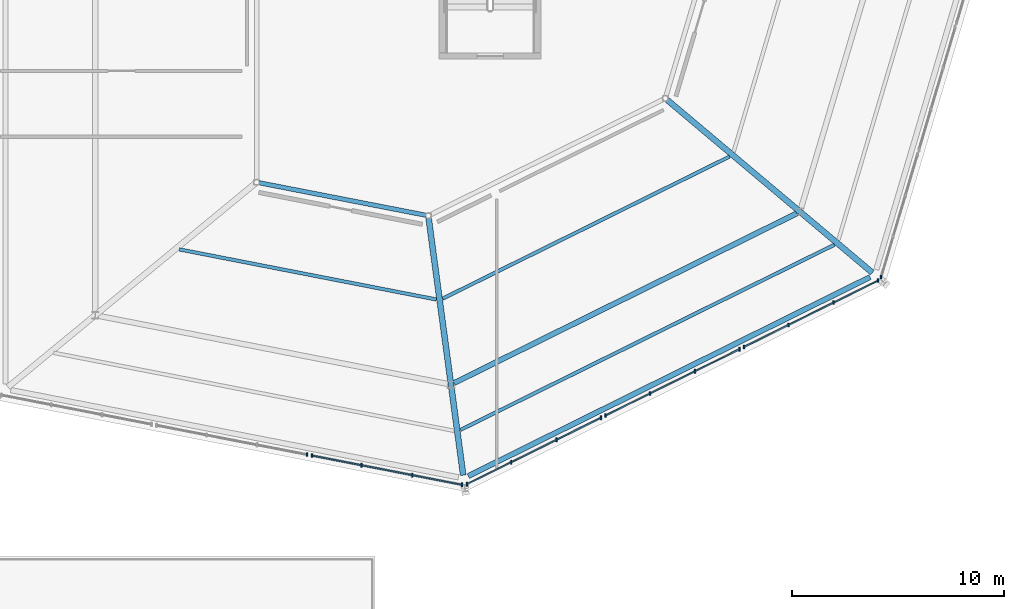
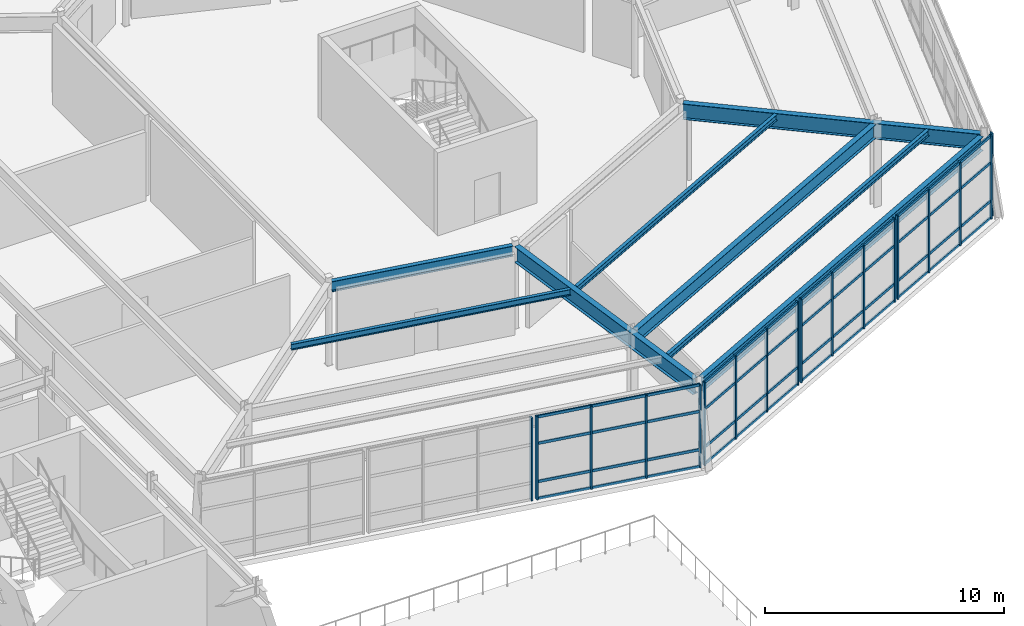
# One storey, part 33 of 69: 34 members, 8 beams, 6 elements without a shape of their own.
"""IFC4 building model written with IfcOpenShell, lengths in metres."""

from ifc_helpers import new_model, si_unit, direction, frame, origin, origin_2d, place, context, subcontext, project, spatial, rectangle, i_section, extrude, material, material_profile, profile_set, type_object, element, aggregate, save


model = new_model("IFC4")

# Units and contexts
model_context = context("Model", 3, precision=1e-05, world=origin(), true_north=direction((0.0, 1.0)))
body_context = subcontext(model_context, "Body", "Model", "MODEL_VIEW")
ifc_project = project(units=[si_unit("LENGTHUNIT", "METRE"), si_unit("AREAUNIT", "SQUARE_METRE"), si_unit("VOLUMEUNIT", "CUBIC_METRE"), si_unit("PLANEANGLEUNIT", "RADIAN"), si_unit("MASSUNIT", "GRAM", prefix="KILO")], contexts=[model_context])

# Site, building, storey
site_placement = place(None, origin())
site = spatial("IfcSite", under=ifc_project, at=site_placement, CompositionType="ELEMENT")
building_placement = place(site_placement, origin())
building = spatial("IfcBuilding", under=site, at=building_placement, Name="Sarnbrook Museum", CompositionType="ELEMENT")
storey_placement = place(building_placement, frame((0.0, 0.0, 14.60009765625)))
storey = spatial("IfcBuildingStorey", under=building, at=storey_placement, Name="L03", CompositionType="ELEMENT", Elevation=14.60009765625)

# Beams
ifc_material_1 = material(Name="Structural Steel Grade 300PLUS (AS/NZS 3679.1, fy = 280 MPa for 17 < t <= 40 mm, 300 MPa for t <= 17 mm)", Category="steel")
ifc_material_profile_1 = material_profile(ifc_material_1, i_section(OverallWidth=0.208984375, OverallDepth=0.532958984375, WebThickness=0.01025390625, FlangeThickness=0.015625, FilletRadius=0.013916015625, at=origin_2d()), Name="530UB92.4")
ifc_profile_set_1 = profile_set([ifc_material_profile_1], Name="Structural Steel Grade 300PLUS (AS/NZS 3679.1, fy = 280 MPa for 17 < t <= 40 mm, 300 MPa for t <= 17 mm)")
beam_type_1 = type_object("IfcBeamType", Name="BM-UB530", PredefinedType="BEAM", material=ifc_profile_set_1)
beam_1_placement = place(storey_placement, frame((132.917724609375, 74.382080078125, 3.973388671875), z_axis=(0.981531426605, -0.191300963369, 0.0), x_axis=(0.191300963369, 0.981531426605, 0.0)))
element("IfcBeam", 1, at=beam_1_placement, inside=storey, type_object=beam_type_1, Name="Crystal Hall R2 Ring Girder 1 L03", PredefinedType="BEAM", context=body_context, shape_type="SweptSolid", body=[
    extrude(i_section(OverallWidth=0.208984375, OverallDepth=0.532958984375, WebThickness=0.01025390625, FlangeThickness=0.015625, FilletRadius=0.013916015625, at=origin_2d()), origin(), (0.0, 0.0, 1.0), 7.999267578125),
])
ifc_material_2 = material(Name="Structural Steel Grade 350L0 (AS/NZS 3678, fy = 340 MPa for 20 < t <= 40 mm)", Category="steel")
ifc_material_profile_2 = material_profile(ifc_material_2, i_section(OverallWidth=0.25, OverallDepth=0.699951171875, WebThickness=0.010009765625, FlangeThickness=0.01611328125, at=origin_2d()), Name="700WB130")
ifc_profile_set_2 = profile_set([ifc_material_profile_2], Name="Structural Steel Grade 350L0 (AS/NZS 3678, fy = 340 MPa for 20 < t <= 40 mm)")
beam_type_2 = type_object("IfcBeamType", Name="BM-WB700", PredefinedType="BEAM", material=ifc_profile_set_2)
beam_2_placement = place(storey_placement, frame((142.77392578125, 60.5703125, 3.889892578125), z_axis=(0.896159734035, 0.443731598035, 0.0), x_axis=(-0.443731598035, 0.896159734035, 0.0)))
element("IfcBeam", 2, at=beam_2_placement, inside=storey, type_object=beam_type_2, Name="Crystal Hall Perimeter Ring Girder 2 L03", PredefinedType="BEAM", context=body_context, shape_type="SweptSolid", body=[
    extrude(i_section(OverallWidth=0.25, OverallDepth=0.699951171875, WebThickness=0.010009765625, FlangeThickness=0.01611328125, at=origin_2d()), origin(), (0.0, 0.0, 1.0), 21.111083984375),
])
beam_3_placement = place(storey_placement, frame((142.099609375, 64.948486328125, 3.889892578125), z_axis=(0.8961652972, 0.443720362497, 0.0), x_axis=(-0.443720362497, 0.8961652972, 0.0)))
element("IfcBeam", 3, at=beam_3_placement, inside=storey, type_object=beam_type_2, Name="Crystal Hall R1 Ring Girder 2 L03", PredefinedType="BEAM", context=body_context, shape_type="SweptSolid", body=[
    extrude(i_section(OverallWidth=0.25, OverallDepth=0.699951171875, WebThickness=0.010009765625, FlangeThickness=0.01611328125, at=origin_2d()), origin(), (0.0, 0.0, 1.0), 18.021240234375),
])
ifc_material_profile_3 = material_profile(ifc_material_2, i_section(OverallWidth=0.27490234375, OverallDepth=0.800048828125, WebThickness=0.010009765625, FlangeThickness=0.01611328125, at=origin_2d()), Name="800WB146")
ifc_profile_set_3 = profile_set([ifc_material_profile_3], Name="Structural Steel Grade 350L0 (AS/NZS 3678, fy = 340 MPa for 20 < t <= 40 mm)")
beam_type_3 = type_object("IfcBeamType", Name="CR-CANT", PredefinedType="BEAM", material=ifc_profile_set_3)
beam_4_placement = place(storey_placement, frame((140.9033203125, 72.7099609375, 3.83984375), z_axis=(0.133220537129, -0.991086418274, 0.0), x_axis=(0.991086418274, 0.133220537129, 0.0)))
element("IfcBeam", 4, at=beam_4_placement, inside=storey, type_object=beam_type_3, Name="Crystal Hall Radial Cantilever Girder 2 L03", PredefinedType="BEAM", context=body_context, shape_type="SweptSolid", body=[
    extrude(i_section(OverallWidth=0.27490234375, OverallDepth=0.800048828125, WebThickness=0.010009765625, FlangeThickness=0.01611328125, at=origin_2d()), origin(), (0.0, 0.0, 1.0), 12.210693359375),
])
beam_5_placement = place(storey_placement, frame((152.14208984375, 78.27880859375, 3.83984375), z_axis=(0.764964338842, -0.644072635888, 0.0), x_axis=(0.644072635888, 0.764964338842, 0.0)))
element("IfcBeam", 5, at=beam_5_placement, inside=storey, type_object=beam_type_3, Name="Crystal Hall Radial Cantilever Girder 3 L03", PredefinedType="BEAM", context=body_context, shape_type="SweptSolid", body=[
    extrude(i_section(OverallWidth=0.27490234375, OverallDepth=0.800048828125, WebThickness=0.010009765625, FlangeThickness=0.01611328125, at=origin_2d()), origin(), (0.0, 0.0, 1.0), 12.6279296875),
])

# Curtain wall, member
ifc_material_3 = material(Name="Thermally Broken Anodised Aluminium 6063-T6", Category="aluminium")
curtain_wall_type = type_object("IfcCurtainWallType", Name="CurtainWall_CrystalFacet", PredefinedType="NOTDEFINED", material=ifc_material_3)
curtain_wall_1_placement = place(storey_placement, origin())
curtain_wall_1 = element("IfcCurtainWall", 6, at=curtain_wall_1_placement, inside=storey, type_object=curtain_wall_type, Name="Crystal Hall Facet Curtain Wall L03-F1.2", PredefinedType="NOTDEFINED")
ifc_material_profile_4 = material_profile(ifc_material_3, rectangle(XDim=0.06494140625, YDim=0.179931640625, at=origin_2d()), Name="ALU MULLION 65x180")
ifc_profile_set_4 = profile_set([ifc_material_profile_4], Name="Thermally Broken Anodised Aluminium 6063-T6")
member_type_1 = type_object("IfcMemberType", Name="CW_Mullion_180x75", PredefinedType="MULLION", material=ifc_profile_set_4)
member_1_placement = place(storey_placement, frame((135.166259765625, 61.57958984375, 0.0), z_axis=(0.0, 0.0, 1.0), x_axis=(1.0, 0.0, 0.0)))
member_1 = element("IfcMember", 7, at=member_1_placement, type_object=member_type_1, Name="Crystal Hall Facet Curtain Wall L03-F1.2 Mullion 4", PredefinedType="MULLION", context=body_context, shape_type="SweptSolid", body=[
    extrude(rectangle(XDim=0.06494140625, YDim=0.179931640625, at=origin_2d()), origin(), (0.0, 0.0, 1.0), 4.239990234375),
])
aggregate(curtain_wall_1, [member_1])

# Curtain wall, members
curtain_wall_2_placement = place(storey_placement, origin())
curtain_wall_2 = element("IfcCurtainWall", 8, at=curtain_wall_2_placement, inside=storey, type_object=curtain_wall_type, Name="Crystal Hall Facet Curtain Wall L03-F1.3", PredefinedType="NOTDEFINED")
member_2_placement = place(storey_placement, frame((135.40185546875, 61.53369140625, 0.0), z_axis=(0.0, 0.0, 1.0), x_axis=(1.0, 0.0, 0.0)))
member_2 = element("IfcMember", 9, at=member_2_placement, type_object=member_type_1, Name="Crystal Hall Facet Curtain Wall L03-F1.3 Mullion 1", PredefinedType="MULLION", context=body_context, shape_type="SweptSolid", body=[
    extrude(rectangle(XDim=0.06494140625, YDim=0.179931640625, at=origin_2d()), origin(), (0.0, 0.0, 1.0), 4.239990234375),
])
member_3_placement = place(storey_placement, frame((137.746826171875, 61.076416015625, 0.0), z_axis=(0.0, 0.0, 1.0), x_axis=(1.0, 0.0, 0.0)))
member_3 = element("IfcMember", 10, at=member_3_placement, type_object=member_type_1, Name="Crystal Hall Facet Curtain Wall L03-F1.3 Mullion 2", PredefinedType="MULLION", context=body_context, shape_type="SweptSolid", body=[
    extrude(rectangle(XDim=0.06494140625, YDim=0.179931640625, at=origin_2d()), origin(), (0.0, 0.0, 1.0), 4.239990234375),
])
member_4_placement = place(storey_placement, frame((140.131103515625, 60.61181640625, 0.0), z_axis=(0.0, 0.0, 1.0), x_axis=(1.0, 0.0, 0.0)))
member_4 = element("IfcMember", 11, at=member_4_placement, type_object=member_type_1, Name="Crystal Hall Facet Curtain Wall L03-F1.3 Mullion 3", PredefinedType="MULLION", context=body_context, shape_type="SweptSolid", body=[
    extrude(rectangle(XDim=0.06494140625, YDim=0.179931640625, at=origin_2d()), origin(), (0.0, 0.0, 1.0), 4.239990234375),
])
member_5_placement = place(storey_placement, frame((142.476318359375, 60.15478515625, 0.0), z_axis=(0.0, 0.0, 1.0), x_axis=(1.0, 0.0, 0.0)))
member_5 = element("IfcMember", 12, at=member_5_placement, type_object=member_type_1, Name="Crystal Hall Facet Curtain Wall L03-F1.3 Mullion 4", PredefinedType="MULLION", context=body_context, shape_type="SweptSolid", body=[
    extrude(rectangle(XDim=0.06494140625, YDim=0.179931640625, at=origin_2d()), origin(), (0.0, 0.0, 1.0), 4.239990234375),
])

curtain_wall_3_placement = place(storey_placement, origin())
curtain_wall_3 = element("IfcCurtainWall", 13, at=curtain_wall_3_placement, inside=storey, type_object=curtain_wall_type, Name="Crystal Hall Facet Curtain Wall L03-F2.1", PredefinedType="NOTDEFINED")
member_6_placement = place(storey_placement, frame((142.70166015625, 60.184814453125, 0.0), z_axis=(0.0, 0.0, 1.0), x_axis=(1.0, 0.0, 0.0)))
member_6 = element("IfcMember", 14, at=member_6_placement, type_object=member_type_1, Name="Crystal Hall Facet Curtain Wall L03-F2.1 Mullion 1", PredefinedType="MULLION", context=body_context, shape_type="SweptSolid", body=[
    extrude(rectangle(XDim=0.06494140625, YDim=0.179931640625, at=origin_2d()), origin(), (0.0, 0.0, 1.0), 4.239990234375),
])
member_7_placement = place(storey_placement, frame((144.7939453125, 61.220947265625, 0.0), z_axis=(0.0, 0.0, 1.0), x_axis=(1.0, 0.0, 0.0)))
member_7 = element("IfcMember", 15, at=member_7_placement, type_object=member_type_1, Name="Crystal Hall Facet Curtain Wall L03-F2.1 Mullion 2", PredefinedType="MULLION", context=body_context, shape_type="SweptSolid", body=[
    extrude(rectangle(XDim=0.06494140625, YDim=0.179931640625, at=origin_2d()), origin(), (0.0, 0.0, 1.0), 4.239990234375),
])
member_8_placement = place(storey_placement, frame((146.922119140625, 62.27490234375, 0.0), z_axis=(0.0, 0.0, 1.0), x_axis=(1.0, 0.0, 0.0)))
member_8 = element("IfcMember", 16, at=member_8_placement, type_object=member_type_1, Name="Crystal Hall Facet Curtain Wall L03-F2.1 Mullion 3", PredefinedType="MULLION", context=body_context, shape_type="SweptSolid", body=[
    extrude(rectangle(XDim=0.06494140625, YDim=0.179931640625, at=origin_2d()), origin(), (0.0, 0.0, 1.0), 4.239990234375),
])
member_9_placement = place(storey_placement, frame((149.0146484375, 63.310791015625, 0.0), z_axis=(0.0, 0.0, 1.0), x_axis=(1.0, 0.0, 0.0)))
member_9 = element("IfcMember", 17, at=member_9_placement, type_object=member_type_1, Name="Crystal Hall Facet Curtain Wall L03-F2.1 Mullion 4", PredefinedType="MULLION", context=body_context, shape_type="SweptSolid", body=[
    extrude(rectangle(XDim=0.06494140625, YDim=0.179931640625, at=origin_2d()), origin(), (0.0, 0.0, 1.0), 4.239990234375),
])

curtain_wall_4_placement = place(storey_placement, origin())
curtain_wall_4 = element("IfcCurtainWall", 18, at=curtain_wall_4_placement, inside=storey, type_object=curtain_wall_type, Name="Crystal Hall Facet Curtain Wall L03-F2.2", PredefinedType="NOTDEFINED")
member_10_placement = place(storey_placement, frame((149.229736328125, 63.417236328125, 0.0), z_axis=(0.0, 0.0, 1.0), x_axis=(1.0, 0.0, 0.0)))
member_10 = element("IfcMember", 19, at=member_10_placement, type_object=member_type_1, Name="Crystal Hall Facet Curtain Wall L03-F2.2 Mullion 1", PredefinedType="MULLION", context=body_context, shape_type="SweptSolid", body=[
    extrude(rectangle(XDim=0.06494140625, YDim=0.179931640625, at=origin_2d()), origin(), (0.0, 0.0, 1.0), 4.239990234375),
])
member_11_placement = place(storey_placement, frame((151.322021484375, 64.453369140625, 0.0), z_axis=(0.0, 0.0, 1.0), x_axis=(1.0, 0.0, 0.0)))
member_11 = element("IfcMember", 20, at=member_11_placement, type_object=member_type_1, Name="Crystal Hall Facet Curtain Wall L03-F2.2 Mullion 2", PredefinedType="MULLION", context=body_context, shape_type="SweptSolid", body=[
    extrude(rectangle(XDim=0.06494140625, YDim=0.179931640625, at=origin_2d()), origin(), (0.0, 0.0, 1.0), 4.239990234375),
])
member_12_placement = place(storey_placement, frame((153.4501953125, 65.507080078125, 0.0), z_axis=(0.0, 0.0, 1.0), x_axis=(1.0, 0.0, 0.0)))
member_12 = element("IfcMember", 21, at=member_12_placement, type_object=member_type_1, Name="Crystal Hall Facet Curtain Wall L03-F2.2 Mullion 3", PredefinedType="MULLION", context=body_context, shape_type="SweptSolid", body=[
    extrude(rectangle(XDim=0.06494140625, YDim=0.179931640625, at=origin_2d()), origin(), (0.0, 0.0, 1.0), 4.239990234375),
])
member_13_placement = place(storey_placement, frame((155.54248046875, 66.543212890625, 0.0), z_axis=(0.0, 0.0, 1.0), x_axis=(1.0, 0.0, 0.0)))
member_13 = element("IfcMember", 22, at=member_13_placement, type_object=member_type_1, Name="Crystal Hall Facet Curtain Wall L03-F2.2 Mullion 4", PredefinedType="MULLION", context=body_context, shape_type="SweptSolid", body=[
    extrude(rectangle(XDim=0.06494140625, YDim=0.179931640625, at=origin_2d()), origin(), (0.0, 0.0, 1.0), 4.239990234375),
])

curtain_wall_5_placement = place(storey_placement, origin())
curtain_wall_5 = element("IfcCurtainWall", 23, at=curtain_wall_5_placement, inside=storey, type_object=curtain_wall_type, Name="Crystal Hall Facet Curtain Wall L03-F2.3", PredefinedType="NOTDEFINED")
member_14_placement = place(storey_placement, frame((155.7578125, 66.649658203125, 0.0), z_axis=(0.0, 0.0, 1.0), x_axis=(1.0, 0.0, 0.0)))
member_14 = element("IfcMember", 24, at=member_14_placement, type_object=member_type_1, Name="Crystal Hall Facet Curtain Wall L03-F2.3 Mullion 1", PredefinedType="MULLION", context=body_context, shape_type="SweptSolid", body=[
    extrude(rectangle(XDim=0.06494140625, YDim=0.179931640625, at=origin_2d()), origin(), (0.0, 0.0, 1.0), 4.239990234375),
])
member_15_placement = place(storey_placement, frame((157.85009765625, 67.685546875, 0.0), z_axis=(0.0, 0.0, 1.0), x_axis=(1.0, 0.0, 0.0)))
member_15 = element("IfcMember", 25, at=member_15_placement, type_object=member_type_1, Name="Crystal Hall Facet Curtain Wall L03-F2.3 Mullion 2", PredefinedType="MULLION", context=body_context, shape_type="SweptSolid", body=[
    extrude(rectangle(XDim=0.06494140625, YDim=0.179931640625, at=origin_2d()), origin(), (0.0, 0.0, 1.0), 4.239990234375),
])
member_16_placement = place(storey_placement, frame((159.978271484375, 68.739501953125, 0.0), z_axis=(0.0, 0.0, 1.0), x_axis=(1.0, 0.0, 0.0)))
member_16 = element("IfcMember", 26, at=member_16_placement, type_object=member_type_1, Name="Crystal Hall Facet Curtain Wall L03-F2.3 Mullion 3", PredefinedType="MULLION", context=body_context, shape_type="SweptSolid", body=[
    extrude(rectangle(XDim=0.06494140625, YDim=0.179931640625, at=origin_2d()), origin(), (0.0, 0.0, 1.0), 4.239990234375),
])
member_17_placement = place(storey_placement, frame((162.07080078125, 69.775390625, 0.0), z_axis=(0.0, 0.0, 1.0), x_axis=(1.0, 0.0, 0.0)))
member_17 = element("IfcMember", 27, at=member_17_placement, type_object=member_type_1, Name="Crystal Hall Facet Curtain Wall L03-F2.3 Mullion 4", PredefinedType="MULLION", context=body_context, shape_type="SweptSolid", body=[
    extrude(rectangle(XDim=0.06494140625, YDim=0.179931640625, at=origin_2d()), origin(), (0.0, 0.0, 1.0), 4.239990234375),
])

# Curtain wall, member
curtain_wall_6_placement = place(storey_placement, origin())
curtain_wall_6 = element("IfcCurtainWall", 28, at=curtain_wall_6_placement, inside=storey, type_object=curtain_wall_type, Name="Crystal Hall Facet Curtain Wall L03-F3.1", PredefinedType="NOTDEFINED")
member_18_placement = place(storey_placement, frame((162.21240234375, 69.943603515625, 0.0), z_axis=(0.0, 0.0, 1.0), x_axis=(1.0, 0.0, 0.0)))
member_18 = element("IfcMember", 29, at=member_18_placement, type_object=member_type_1, Name="Crystal Hall Facet Curtain Wall L03-F3.1 Mullion 1", PredefinedType="MULLION", context=body_context, shape_type="SweptSolid", body=[
    extrude(rectangle(XDim=0.06494140625, YDim=0.179931640625, at=origin_2d()), origin(), (0.0, 0.0, 1.0), 4.239990234375),
])
aggregate(curtain_wall_6, [member_18])

# Member
ifc_material_profile_5 = material_profile(ifc_material_3, rectangle(XDim=0.06494140625, YDim=0.139892578125, at=origin_2d()), Name="ALU TRANSOM 65x140")
ifc_profile_set_5 = profile_set([ifc_material_profile_5], Name="Thermally Broken Anodised Aluminium 6063-T6")
member_type_2 = type_object("IfcMemberType", Name="CW_Transom_150x65", PredefinedType="USERDEFINED", material=ifc_profile_set_5)
member_19_placement = place(storey_placement, frame((135.41162109375, 61.53173828125, 0.039794921875), z_axis=(0.981525301363, -0.191332388226, 0.0), x_axis=(0.191332388226, 0.981525301363, 0.0)))
member_19 = element("IfcMember", 30, at=member_19_placement, type_object=member_type_2, Name="Crystal Hall Facet Curtain Wall L03-F1.3 Transom 1", ObjectType="TRANSOM", PredefinedType="USERDEFINED", context=body_context, shape_type="SweptSolid", body=[
    extrude(rectangle(XDim=0.06494140625, YDim=0.139892578125, at=origin_2d()), origin(), (0.0, 0.0, 1.0), 7.187744140625),
])

member_20_placement = place(storey_placement, frame((135.41162109375, 61.53173828125, 0.89990234375), z_axis=(0.981525301363, -0.191332388226, 0.0), x_axis=(0.191332388226, 0.981525301363, 0.0)))
member_20 = element("IfcMember", 31, at=member_20_placement, type_object=member_type_2, Name="Crystal Hall Facet Curtain Wall L03-F1.3 Transom 2", ObjectType="TRANSOM", PredefinedType="USERDEFINED", context=body_context, shape_type="SweptSolid", body=[
    extrude(rectangle(XDim=0.06494140625, YDim=0.139892578125, at=origin_2d()), origin(), (0.0, 0.0, 1.0), 7.187744140625),
])

member_21_placement = place(storey_placement, frame((135.41162109375, 61.53173828125, 2.849853515625), z_axis=(0.981525301363, -0.191332388226, 0.0), x_axis=(0.191332388226, 0.981525301363, 0.0)))
member_21 = element("IfcMember", 32, at=member_21_placement, type_object=member_type_2, Name="Crystal Hall Facet Curtain Wall L03-F1.3 Transom 3", ObjectType="TRANSOM", PredefinedType="USERDEFINED", context=body_context, shape_type="SweptSolid", body=[
    extrude(rectangle(XDim=0.06494140625, YDim=0.139892578125, at=origin_2d()), origin(), (0.0, 0.0, 1.0), 7.187744140625),
])

member_22_placement = place(storey_placement, frame((135.41162109375, 61.53173828125, 4.199951171875), z_axis=(0.981525301363, -0.191332388226, 0.0), x_axis=(0.191332388226, 0.981525301363, 0.0)))
member_22 = element("IfcMember", 33, at=member_22_placement, type_object=member_type_2, Name="Crystal Hall Facet Curtain Wall L03-F1.3 Transom 4", ObjectType="TRANSOM", PredefinedType="USERDEFINED", context=body_context, shape_type="SweptSolid", body=[
    extrude(rectangle(XDim=0.06494140625, YDim=0.139892578125, at=origin_2d()), origin(), (0.0, 0.0, 1.0), 7.187744140625),
])

aggregate(curtain_wall_2, [member_2, member_3, member_4, member_5, member_19, member_20, member_21, member_22])

member_23_placement = place(storey_placement, frame((142.710693359375, 60.189453125, 0.039794921875), z_axis=(0.896158256544, 0.443734581961, 0.0), x_axis=(-0.443734581961, 0.896158256544, 0.0)))
member_23 = element("IfcMember", 34, at=member_23_placement, type_object=member_type_2, Name="Crystal Hall Facet Curtain Wall L03-F2.1 Transom 1", ObjectType="TRANSOM", PredefinedType="USERDEFINED", context=body_context, shape_type="SweptSolid", body=[
    extrude(rectangle(XDim=0.06494140625, YDim=0.139892578125, at=origin_2d()), origin(), (0.0, 0.0, 1.0), 7.0244140625),
])

member_24_placement = place(storey_placement, frame((142.710693359375, 60.189453125, 0.89990234375), z_axis=(0.896158256544, 0.443734581961, 0.0), x_axis=(-0.443734581961, 0.896158256544, 0.0)))
member_24 = element("IfcMember", 35, at=member_24_placement, type_object=member_type_2, Name="Crystal Hall Facet Curtain Wall L03-F2.1 Transom 2", ObjectType="TRANSOM", PredefinedType="USERDEFINED", context=body_context, shape_type="SweptSolid", body=[
    extrude(rectangle(XDim=0.06494140625, YDim=0.139892578125, at=origin_2d()), origin(), (0.0, 0.0, 1.0), 7.0244140625),
])

member_25_placement = place(storey_placement, frame((142.710693359375, 60.189453125, 2.849853515625), z_axis=(0.896158256544, 0.443734581961, 0.0), x_axis=(-0.443734581961, 0.896158256544, 0.0)))
member_25 = element("IfcMember", 36, at=member_25_placement, type_object=member_type_2, Name="Crystal Hall Facet Curtain Wall L03-F2.1 Transom 3", ObjectType="TRANSOM", PredefinedType="USERDEFINED", context=body_context, shape_type="SweptSolid", body=[
    extrude(rectangle(XDim=0.06494140625, YDim=0.139892578125, at=origin_2d()), origin(), (0.0, 0.0, 1.0), 7.0244140625),
])

member_26_placement = place(storey_placement, frame((142.710693359375, 60.189453125, 4.199951171875), z_axis=(0.896158256544, 0.443734581961, 0.0), x_axis=(-0.443734581961, 0.896158256544, 0.0)))
member_26 = element("IfcMember", 37, at=member_26_placement, type_object=member_type_2, Name="Crystal Hall Facet Curtain Wall L03-F2.1 Transom 4", ObjectType="TRANSOM", PredefinedType="USERDEFINED", context=body_context, shape_type="SweptSolid", body=[
    extrude(rectangle(XDim=0.06494140625, YDim=0.139892578125, at=origin_2d()), origin(), (0.0, 0.0, 1.0), 7.0244140625),
])

aggregate(curtain_wall_3, [member_6, member_7, member_8, member_9, member_23, member_24, member_25, member_26])

member_27_placement = place(storey_placement, frame((149.238525390625, 63.421630859375, 0.039794921875), z_axis=(0.896151279207, 0.443748672985, 0.0), x_axis=(-0.443748672985, 0.896151279207, 0.0)))
member_27 = element("IfcMember", 38, at=member_27_placement, type_object=member_type_2, Name="Crystal Hall Facet Curtain Wall L03-F2.2 Transom 1", ObjectType="TRANSOM", PredefinedType="USERDEFINED", context=body_context, shape_type="SweptSolid", body=[
    extrude(rectangle(XDim=0.06494140625, YDim=0.139892578125, at=origin_2d()), origin(), (0.0, 0.0, 1.0), 7.024658203125),
])

member_28_placement = place(storey_placement, frame((149.238525390625, 63.421630859375, 0.89990234375), z_axis=(0.896151279207, 0.443748672985, 0.0), x_axis=(-0.443748672985, 0.896151279207, 0.0)))
member_28 = element("IfcMember", 39, at=member_28_placement, type_object=member_type_2, Name="Crystal Hall Facet Curtain Wall L03-F2.2 Transom 2", ObjectType="TRANSOM", PredefinedType="USERDEFINED", context=body_context, shape_type="SweptSolid", body=[
    extrude(rectangle(XDim=0.06494140625, YDim=0.139892578125, at=origin_2d()), origin(), (0.0, 0.0, 1.0), 7.024658203125),
])

member_29_placement = place(storey_placement, frame((149.238525390625, 63.421630859375, 2.849853515625), z_axis=(0.896151279207, 0.443748672985, 0.0), x_axis=(-0.443748672985, 0.896151279207, 0.0)))
member_29 = element("IfcMember", 40, at=member_29_placement, type_object=member_type_2, Name="Crystal Hall Facet Curtain Wall L03-F2.2 Transom 3", ObjectType="TRANSOM", PredefinedType="USERDEFINED", context=body_context, shape_type="SweptSolid", body=[
    extrude(rectangle(XDim=0.06494140625, YDim=0.139892578125, at=origin_2d()), origin(), (0.0, 0.0, 1.0), 7.024658203125),
])

member_30_placement = place(storey_placement, frame((149.238525390625, 63.421630859375, 4.199951171875), z_axis=(0.896151279207, 0.443748672985, 0.0), x_axis=(-0.443748672985, 0.896151279207, 0.0)))
member_30 = element("IfcMember", 41, at=member_30_placement, type_object=member_type_2, Name="Crystal Hall Facet Curtain Wall L03-F2.2 Transom 4", ObjectType="TRANSOM", PredefinedType="USERDEFINED", context=body_context, shape_type="SweptSolid", body=[
    extrude(rectangle(XDim=0.06494140625, YDim=0.139892578125, at=origin_2d()), origin(), (0.0, 0.0, 1.0), 7.024658203125),
])

aggregate(curtain_wall_4, [member_10, member_11, member_12, member_13, member_27, member_28, member_29, member_30])

member_31_placement = place(storey_placement, frame((155.7666015625, 66.654052734375, 0.039794921875), z_axis=(0.896165099767, 0.443720761246, 0.0), x_axis=(-0.443720761246, 0.896165099767, 0.0)))
member_31 = element("IfcMember", 42, at=member_31_placement, type_object=member_type_2, Name="Crystal Hall Facet Curtain Wall L03-F2.3 Transom 1", ObjectType="TRANSOM", PredefinedType="USERDEFINED", context=body_context, shape_type="SweptSolid", body=[
    extrude(rectangle(XDim=0.06494140625, YDim=0.139892578125, at=origin_2d()), origin(), (0.0, 0.0, 1.0), 7.024658203125),
])

member_32_placement = place(storey_placement, frame((155.7666015625, 66.654052734375, 0.89990234375), z_axis=(0.896165099767, 0.443720761246, 0.0), x_axis=(-0.443720761246, 0.896165099767, 0.0)))
member_32 = element("IfcMember", 43, at=member_32_placement, type_object=member_type_2, Name="Crystal Hall Facet Curtain Wall L03-F2.3 Transom 2", ObjectType="TRANSOM", PredefinedType="USERDEFINED", context=body_context, shape_type="SweptSolid", body=[
    extrude(rectangle(XDim=0.06494140625, YDim=0.139892578125, at=origin_2d()), origin(), (0.0, 0.0, 1.0), 7.024658203125),
])

member_33_placement = place(storey_placement, frame((155.7666015625, 66.654052734375, 2.849853515625), z_axis=(0.896165099767, 0.443720761246, 0.0), x_axis=(-0.443720761246, 0.896165099767, 0.0)))
member_33 = element("IfcMember", 44, at=member_33_placement, type_object=member_type_2, Name="Crystal Hall Facet Curtain Wall L03-F2.3 Transom 3", ObjectType="TRANSOM", PredefinedType="USERDEFINED", context=body_context, shape_type="SweptSolid", body=[
    extrude(rectangle(XDim=0.06494140625, YDim=0.139892578125, at=origin_2d()), origin(), (0.0, 0.0, 1.0), 7.024658203125),
])

member_34_placement = place(storey_placement, frame((155.7666015625, 66.654052734375, 4.199951171875), z_axis=(0.896165099767, 0.443720761246, 0.0), x_axis=(-0.443720761246, 0.896165099767, 0.0)))
member_34 = element("IfcMember", 45, at=member_34_placement, type_object=member_type_2, Name="Crystal Hall Facet Curtain Wall L03-F2.3 Transom 4", ObjectType="TRANSOM", PredefinedType="USERDEFINED", context=body_context, shape_type="SweptSolid", body=[
    extrude(rectangle(XDim=0.06494140625, YDim=0.139892578125, at=origin_2d()), origin(), (0.0, 0.0, 1.0), 7.024658203125),
])

aggregate(curtain_wall_5, [member_14, member_15, member_16, member_17, member_31, member_32, member_33, member_34])

# Beams
ifc_material_profile_6 = material_profile(ifc_material_1, i_section(OverallWidth=0.1650390625, OverallDepth=0.303955078125, WebThickness=0.006103515625, FlangeThickness=0.01025390625, FilletRadius=0.011474609375, at=origin_2d()), Name="310UB40.4")
ifc_profile_set_6 = profile_set([ifc_material_profile_6], Name="Structural Steel Grade 300PLUS (AS/NZS 3679.1, fy = 280 MPa for 17 < t <= 40 mm, 300 MPa for t <= 17 mm)")
beam_type_4 = type_object("IfcBeamType", Name="JS-UB310", PredefinedType="JOIST", material=ifc_profile_set_6)
beam_6_placement = place(storey_placement, frame((129.156982421875, 71.24365234375, 4.087890625), z_axis=(0.981530313101, -0.191306676475, 0.0), x_axis=(0.191306676475, 0.981530313101, 0.0)))
element("IfcBeam", 46, at=beam_6_placement, inside=storey, type_object=beam_type_4, Name="Crystal Hall Tangential Joist MI-1 L03", PredefinedType="JOIST", context=body_context, shape_type="SweptSolid", body=[
    extrude(i_section(OverallWidth=0.1650390625, OverallDepth=0.303955078125, WebThickness=0.006103515625, FlangeThickness=0.01025390625, FilletRadius=0.011474609375, at=origin_2d()), origin(), (0.0, 0.0, 1.0), 12.33544921875),
])
beam_7_placement = place(storey_placement, frame((142.396484375, 62.739501953125, 4.087890625), z_axis=(0.896161784451, 0.443727456993, 0.0), x_axis=(-0.443727456993, 0.896161784451, 0.0)))
element("IfcBeam", 47, at=beam_7_placement, inside=storey, type_object=beam_type_4, Name="Crystal Hall Tangential Joist MO-2 L03", PredefinedType="JOIST", context=body_context, shape_type="SweptSolid", body=[
    extrude(i_section(OverallWidth=0.1650390625, OverallDepth=0.303955078125, WebThickness=0.006103515625, FlangeThickness=0.01025390625, FilletRadius=0.011474609375, at=origin_2d()), origin(), (0.0, 0.0, 1.0), 19.656005859375),
])
beam_8_placement = place(storey_placement, frame((141.56494140625, 68.924072265625, 4.087890625), z_axis=(0.89616253794, 0.443725935227, 0.0), x_axis=(-0.443725935227, 0.89616253794, 0.0)))
element("IfcBeam", 48, at=beam_8_placement, inside=storey, type_object=beam_type_4, Name="Crystal Hall Tangential Joist MI-2 L03", PredefinedType="JOIST", context=body_context, shape_type="SweptSolid", body=[
    extrude(i_section(OverallWidth=0.1650390625, OverallDepth=0.303955078125, WebThickness=0.006103515625, FlangeThickness=0.01025390625, FilletRadius=0.011474609375, at=origin_2d()), origin(), (0.0, 0.0, 1.0), 15.078857421875),
])

save(model, "model.ifc")
